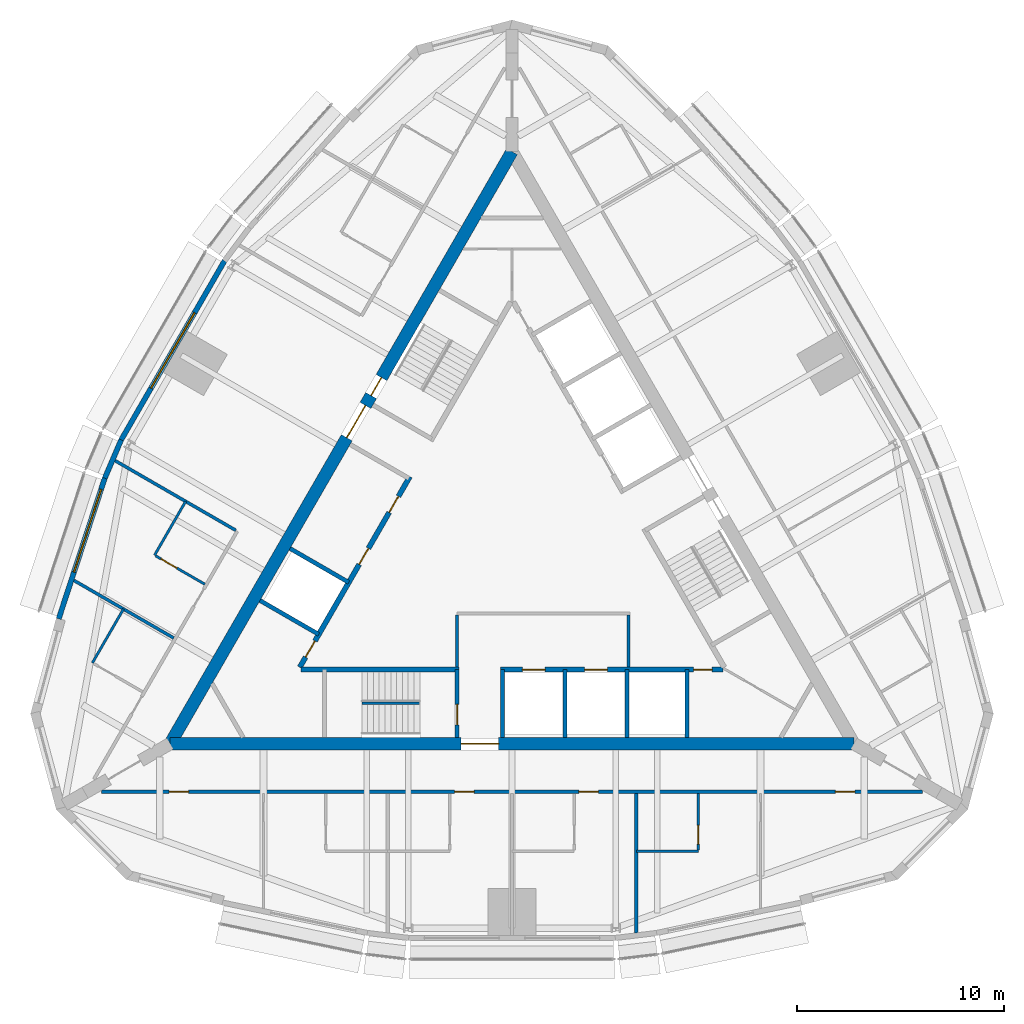
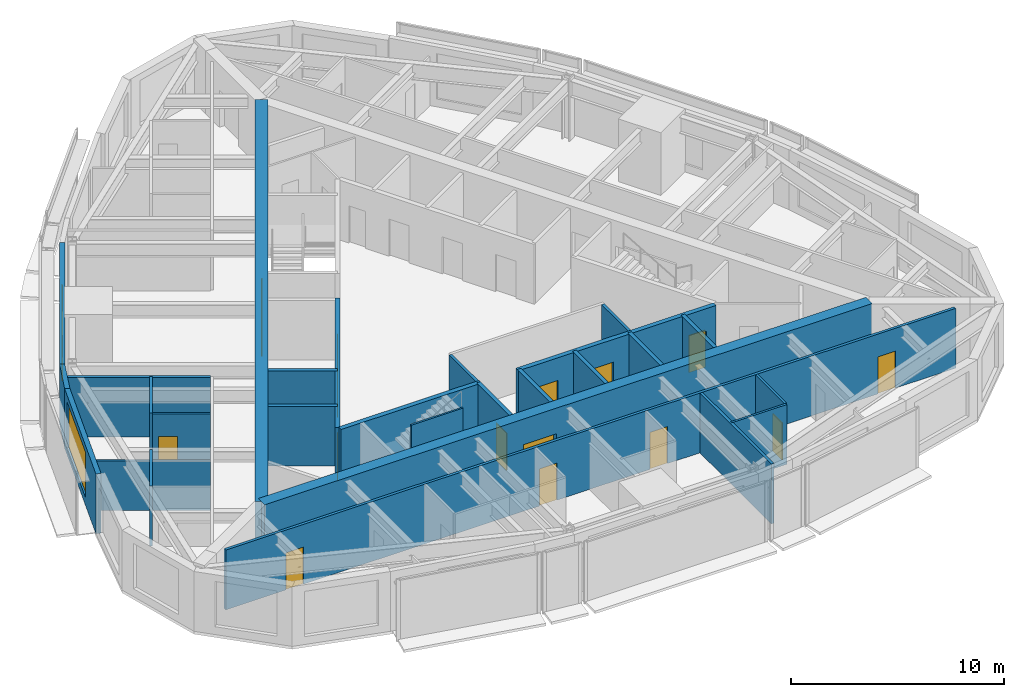
# One storey, part 8 of 12: 27 walls, 16 doors, 2 windows, 18 openings.
"""IFC4 building model written with IfcOpenShell, lengths in metres."""

from ifc_helpers import new_model, si_unit, direction, frame, frame_2d, origin, place, context, subcontext, project, spatial, rectangle, extrude, material, layer, layer_set, type_object, element, fill, save


model = new_model("IFC4")

# Units and contexts
model_context = context("Model", 3, precision=1e-05, world=origin(), true_north=direction((0.0, 1.0)))
body_context = subcontext(model_context, "Body", "Model", "MODEL_VIEW")
ifc_project = project(units=[si_unit("LENGTHUNIT", "METRE"), si_unit("AREAUNIT", "SQUARE_METRE"), si_unit("VOLUMEUNIT", "CUBIC_METRE"), si_unit("PLANEANGLEUNIT", "RADIAN"), si_unit("MASSUNIT", "GRAM", prefix="KILO")], contexts=[model_context])

# Site, building, storey
site_placement = place(None, origin())
site = spatial("IfcSite", under=ifc_project, at=site_placement, CompositionType="ELEMENT")
building_placement = place(site_placement, origin())
building = spatial("IfcBuilding", under=site, at=building_placement, Name="Trikona Tower", CompositionType="ELEMENT")
storey_placement = place(building_placement, frame((0.0, 0.0, 260.89990234375)))
storey = spatial("IfcBuildingStorey", under=building, at=storey_placement, Name="L69", CompositionType="ELEMENT", Elevation=260.89990234375)

# Wall
ifc_material_1 = material(Name="Metal stud and cement board", Category="gypsum")
ifc_layer_1 = layer(ifc_material_1, 0.1201171875)
ifc_layer_set_1 = layer_set([ifc_layer_1], Name="Bathroom wall 120")
wall_type_1 = type_object("IfcWallType", Name="Bathroom wall 120", PredefinedType="PLUMBINGWALL", material=ifc_layer_set_1)
wall_1_placement = place(storey_placement, frame((6.0, -14.726318359375, 0.0), z_axis=(0.0, 0.0, 1.0), x_axis=(1.0, 0.0, 0.0)))
element("IfcWall", 1, at=wall_1_placement, inside=storey, type_object=wall_type_1, Name="Bathroom wall 6904.1", PredefinedType="PLUMBINGWALL", context=body_context, shape_type="SweptSolid", body=[
    extrude(rectangle(XDim=3.0, YDim=0.1201171875, at=frame_2d((1.5, 0.0))), origin(), (0.0, 0.0, 1.0), 3.43505859375),
])

# Wall, opening, door
wall_2_placement = place(storey_placement, frame((9.0, -11.92626953125, 0.0), z_axis=(0.0, 0.0, 1.0), x_axis=(0.0, -1.0, 0.0)))
wall_2 = element("IfcWall", 2, at=wall_2_placement, inside=storey, type_object=wall_type_1, Name="Bathroom wall 6904.1", PredefinedType="PLUMBINGWALL", context=body_context, shape_type="SweptSolid", body=[
    extrude(rectangle(XDim=2.739990234375, YDim=0.1201171875, at=frame_2d((1.3701171875, 0.0))), origin(), (0.0, 0.0, 1.0), 3.43505859375),
])
opening_1_placement = place(wall_2_placement, frame((1.550048828125, 0.0, 0.0)))
opening_1 = element("IfcOpeningElement", 3, at=opening_1_placement, cuts=wall_2, Name="Opening D2", PredefinedType="OPENING", context=body_context, shape_type="SweptSolid", body=[
    extrude(rectangle(XDim=0.89990234375, YDim=2.1298828125, at=frame_2d((0.449951171875, 1.06494140625))), frame((0.0, 0.070068359375, 0.0), z_axis=(0.0, -1.0, 0.0), x_axis=(1.0, 0.0, 0.0)), (0.0, 0.0, 1.0), 0.14013671875),
])
ifc_material_2 = material(Name="Steel door frame with solid-core timber leaf", Category="steel")
door_type_1 = type_object("IfcDoorType", Name="Bathroom door 900x2130", OperationType="SLIDING_TO_LEFT", PredefinedType="DOOR", material=ifc_material_2)
door_1_placement = place(opening_1_placement, origin())
door_1 = element("IfcDoor", 4, at=door_1_placement, inside=storey, type_object=door_type_1, Name="Bathroom door 6904.1", OperationType="SLIDING_TO_LEFT", OverallHeight=2.1298828125, OverallWidth=0.89990234375, PredefinedType="DOOR", context=body_context, shape_type="SweptSolid", body=[
    extrude(rectangle(XDim=0.89990234375, YDim=2.1298828125, at=frame_2d((0.449951171875, 1.06494140625))), frame((0.0, 0.02490234375, 0.0), z_axis=(0.0, -1.0, 0.0), x_axis=(1.0, 0.0, 0.0)), (0.0, 0.0, 1.0), 0.050048828125),
])
fill(opening_1, door_1)

# Wall
wall_3_placement = place(storey_placement, frame((-15.75341796875, 2.1669921875, 0.0), z_axis=(0.0, 0.0, 1.0), x_axis=(-0.499990139034, -0.866031096941, 0.0)))
element("IfcWall", 5, at=wall_3_placement, inside=storey, type_object=wall_type_1, Name="Bathroom wall 6908", PredefinedType="PLUMBINGWALL", context=body_context, shape_type="SweptSolid", body=[
    extrude(rectangle(XDim=3.0, YDim=0.1201171875, at=frame_2d((1.5, 0.0))), origin(), (0.0, 0.0, 1.0), 3.43505859375),
])

# Wall, opening, door
wall_4_placement = place(storey_placement, frame((-14.82861328125, -1.8310546875, 0.0), z_axis=(0.0, 0.0, 1.0), x_axis=(-0.866035715982, 0.499982138324, 0.0)))
wall_4 = element("IfcWall", 6, at=wall_4_placement, inside=storey, type_object=wall_type_1, Name="Bathroom wall 6908", PredefinedType="PLUMBINGWALL", context=body_context, shape_type="SweptSolid", body=[
    extrude(rectangle(XDim=2.73974609375, YDim=0.1201171875, at=frame_2d((1.369873046875, 0.0))), origin(), (0.0, 0.0, 1.0), 3.43505859375),
])
opening_2_placement = place(wall_4_placement, frame((1.550048828125, 0.0, 0.0)))
opening_2 = element("IfcOpeningElement", 7, at=opening_2_placement, cuts=wall_4, Name="Opening D2", PredefinedType="OPENING", context=body_context, shape_type="SweptSolid", body=[
    extrude(rectangle(XDim=0.89990234375, YDim=2.1298828125, at=frame_2d((0.449951171875, 1.06494140625))), frame((0.0, 0.070068359375, 0.0), z_axis=(0.0, -1.0, 0.0), x_axis=(1.0, 0.0, 0.0)), (0.0, 0.0, 1.0), 0.14013671875),
])
door_2_placement = place(opening_2_placement, origin())
door_2 = element("IfcDoor", 8, at=door_2_placement, inside=storey, type_object=door_type_1, Name="Bathroom door 6908", OperationType="SLIDING_TO_LEFT", OverallHeight=2.1298828125, OverallWidth=0.89990234375, PredefinedType="DOOR", context=body_context, shape_type="SweptSolid", body=[
    extrude(rectangle(XDim=0.89990234375, YDim=2.1298828125, at=frame_2d((0.449951171875, 1.06494140625))), frame((0.0, 0.02490234375, 0.0), z_axis=(0.0, -1.0, 0.0), x_axis=(1.0, 0.0, 0.0)), (0.0, 0.0, 1.0), 0.050048828125),
])
fill(opening_2, door_2)

# Wall
wall_5_placement = place(storey_placement, frame((-18.75341796875, -3.029296875, 0.0), z_axis=(0.0, 0.0, 1.0), x_axis=(-0.50002537861, -0.866010750942, 0.0)))
element("IfcWall", 9, at=wall_5_placement, inside=storey, type_object=wall_type_1, Name="Bathroom wall 6909", PredefinedType="PLUMBINGWALL", context=body_context, shape_type="SweptSolid", body=[
    extrude(rectangle(XDim=2.999755859375, YDim=0.1201171875, at=frame_2d((1.5, 0.0))), origin(), (0.0, 0.0, 1.0), 3.43505859375),
])

# Wall, opening, door
ifc_material_3 = material(Name="Concrete f'c 10000 psi", Category="concrete")
ifc_layer_2 = layer(ifc_material_3, 0.60009765625)
ifc_layer_set_2 = layer_set([ifc_layer_2], Name="Core wall 600")
wall_type_2 = type_object("IfcWallType", Name="Core wall 600", PredefinedType="SHEAR", material=ifc_layer_set_2)
wall_6_placement = place(storey_placement, frame((-16.5, -9.5263671875, 0.0), z_axis=(0.0, 0.0, 1.0), x_axis=(1.0, 0.0, 0.0)))
wall_6 = element("IfcWall", 10, at=wall_6_placement, inside=storey, type_object=wall_type_2, Name="Core wall A", PredefinedType="SHEAR", context=body_context, shape_type="SweptSolid", body=[
    extrude(rectangle(XDim=33.0, YDim=0.60009765625, at=frame_2d((16.5, 0.0))), origin(), (0.0, 0.0, 1.0), 3.60009765625),
])
opening_3_placement = place(wall_6_placement, frame((14.050048828125, 0.0, 0.0)))
opening_3 = element("IfcOpeningElement", 11, at=opening_3_placement, cuts=wall_6, Name="Opening D6", PredefinedType="OPENING", context=body_context, shape_type="SweptSolid", body=[
    extrude(rectangle(XDim=1.800048828125, YDim=2.1298828125, at=frame_2d((0.89990234375, 1.06494140625))), frame((0.0, 0.31005859375, 0.0), z_axis=(0.0, -1.0, 0.0), x_axis=(1.0, 0.0, 0.0)), (0.0, 0.0, 1.0), 0.6201171875),
])
ifc_material_4 = material(Name="Hollow metal door and frame", Category="steel")
door_type_2 = type_object("IfcDoorType", Name="Lobby door pair 1800x2130", OperationType="DOUBLE_DOOR_SINGLE_SWING", PredefinedType="DOOR", material=ifc_material_4)
door_3_placement = place(opening_3_placement, origin())
door_3 = element("IfcDoor", 12, at=door_3_placement, inside=storey, type_object=door_type_2, Name="Fire service lift lobby door", OperationType="DOUBLE_DOOR_SINGLE_SWING", OverallHeight=2.1298828125, OverallWidth=1.800048828125, PredefinedType="DOOR", context=body_context, shape_type="SweptSolid", body=[
    extrude(rectangle(XDim=1.800048828125, YDim=2.1298828125, at=frame_2d((0.89990234375, 1.06494140625))), frame((0.0, 0.02490234375, 0.0), z_axis=(0.0, -1.0, 0.0), x_axis=(1.0, 0.0, 0.0)), (0.0, 0.0, 1.0), 0.050048828125),
])
fill(opening_3, door_3)

# Wall, openings, doors
wall_7_placement = place(storey_placement, frame((0.0, 19.052490234375, 0.0), z_axis=(0.0, 0.0, 1.0), x_axis=(-0.499999749417, -0.866025548458, 0.0)))
wall_7 = element("IfcWall", 13, at=wall_7_placement, inside=storey, type_object=wall_type_2, Name="Core wall C", PredefinedType="SHEAR", context=body_context, shape_type="SweptSolid", body=[
    extrude(rectangle(XDim=33.0, YDim=0.60009765625, at=frame_2d((16.5, 0.0))), origin(), (0.0, 0.0, 1.0), 3.60009765625),
])
opening_4_placement = place(wall_7_placement, frame((14.14990234375, 0.0, 0.0)))
opening_4 = element("IfcOpeningElement", 14, at=opening_4_placement, cuts=wall_7, Name="Opening D6", PredefinedType="OPENING", context=body_context, shape_type="SweptSolid", body=[
    extrude(rectangle(XDim=1.800048828125, YDim=2.1298828125, at=frame_2d((0.89990234375, 1.06494140625))), frame((0.0, 0.31005859375, 0.0), z_axis=(0.0, -1.0, 0.0), x_axis=(1.0, 0.0, 0.0)), (0.0, 0.0, 1.0), 0.6201171875),
])
opening_5_placement = place(wall_7_placement, frame((12.60009765625, 0.0, 0.0)))
opening_5 = element("IfcOpeningElement", 15, at=opening_5_placement, cuts=wall_7, Name="Opening D5", PredefinedType="OPENING", context=body_context, shape_type="SweptSolid", body=[
    extrude(rectangle(XDim=1.0, YDim=2.1298828125, at=frame_2d((0.5, 1.06494140625))), frame((0.0, 0.31005859375, 0.0), z_axis=(0.0, -1.0, 0.0), x_axis=(1.0, 0.0, 0.0)), (0.0, 0.0, 1.0), 0.6201171875),
])
door_4_placement = place(opening_4_placement, origin())
door_4 = element("IfcDoor", 16, at=door_4_placement, inside=storey, type_object=door_type_2, Name="Lift lobby door C", OperationType="DOUBLE_DOOR_SINGLE_SWING", OverallHeight=2.1298828125, OverallWidth=1.800048828125, PredefinedType="DOOR", context=body_context, shape_type="SweptSolid", body=[
    extrude(rectangle(XDim=1.800048828125, YDim=2.1298828125, at=frame_2d((0.89990234375, 1.06494140625))), frame((0.0, 0.02490234375, 0.0), z_axis=(0.0, -1.0, 0.0), x_axis=(1.0, 0.0, 0.0)), (0.0, 0.0, 1.0), 0.050048828125),
])
fill(opening_4, door_4)
ifc_material_5 = material(Name="Hollow metal door and frame", Category="steel")
door_type_3 = type_object("IfcDoorType", Name="Stair door 1000x2130", OperationType="SINGLE_SWING_LEFT", PredefinedType="DOOR", material=ifc_material_5)
door_5_placement = place(opening_5_placement, origin())
door_5 = element("IfcDoor", 17, at=door_5_placement, inside=storey, type_object=door_type_3, Name="Stair C door", OperationType="SINGLE_SWING_RIGHT", OverallHeight=2.1298828125, OverallWidth=1.0, PredefinedType="DOOR", context=body_context, shape_type="SweptSolid", body=[
    extrude(rectangle(XDim=1.0, YDim=2.1298828125, at=frame_2d((0.5, 1.06494140625))), frame((0.0, 0.02490234375, 0.0), z_axis=(0.0, -1.0, 0.0), x_axis=(1.0, 0.0, 0.0)), (0.0, 0.0, 1.0), 0.050048828125),
])
fill(opening_5, door_5)

ifc_material_6 = material(Name="Metal stud and gypsum board, 1-hour", Category="gypsum")
ifc_layer_3 = layer(ifc_material_6, 0.14990234375)
ifc_layer_set_3 = layer_set([ifc_layer_3], Name="Corridor wall 150")
wall_type_3 = type_object("IfcWallType", Name="Corridor wall 150", PredefinedType="PARTITIONING", material=ifc_layer_set_3)
wall_8_placement = place(storey_placement, frame((-19.826904296875, -11.851318359375, 0.0), z_axis=(0.0, 0.0, 1.0), x_axis=(1.0, 0.0, 0.0)))
wall_8 = element("IfcWall", 18, at=wall_8_placement, inside=storey, type_object=wall_type_3, Name="Corridor wall L69-1", PredefinedType="PARTITIONING", context=body_context, shape_type="SweptSolid", body=[
    extrude(rectangle(XDim=39.65380859375, YDim=0.14990234375, at=frame_2d((19.826904296875, 0.0))), origin(), (0.0, 0.0, 1.0), 3.43505859375),
])
opening_6_placement = place(wall_8_placement, frame((3.271728515625, 0.0, 0.0)))
opening_6 = element("IfcOpeningElement", 19, at=opening_6_placement, cuts=wall_8, Name="Opening D1", PredefinedType="OPENING", context=body_context, shape_type="SweptSolid", body=[
    extrude(rectangle(XDim=0.949951171875, YDim=2.1298828125, at=frame_2d((0.47509765625, 1.06494140625))), frame((0.0, 0.0849609375, 0.0), z_axis=(0.0, -1.0, 0.0), x_axis=(1.0, 0.0, 0.0)), (0.0, 0.0, 1.0), 0.169921875),
])
opening_7_placement = place(wall_8_placement, frame((17.052001953125, 0.0, 0.0)))
opening_7 = element("IfcOpeningElement", 20, at=opening_7_placement, cuts=wall_8, Name="Opening D1", PredefinedType="OPENING", context=body_context, shape_type="SweptSolid", body=[
    extrude(rectangle(XDim=0.949951171875, YDim=2.1298828125, at=frame_2d((0.47509765625, 1.06494140625))), frame((0.0, 0.0849609375, 0.0), z_axis=(0.0, -1.0, 0.0), x_axis=(1.0, 0.0, 0.0)), (0.0, 0.0, 1.0), 0.169921875),
])
opening_8_placement = place(wall_8_placement, frame((23.052001953125, 0.0, 0.0)))
opening_8 = element("IfcOpeningElement", 21, at=opening_8_placement, cuts=wall_8, Name="Opening D1", PredefinedType="OPENING", context=body_context, shape_type="SweptSolid", body=[
    extrude(rectangle(XDim=0.949951171875, YDim=2.1298828125, at=frame_2d((0.47509765625, 1.06494140625))), frame((0.0, 0.0849609375, 0.0), z_axis=(0.0, -1.0, 0.0), x_axis=(1.0, 0.0, 0.0)), (0.0, 0.0, 1.0), 0.169921875),
])
opening_9_placement = place(wall_8_placement, frame((35.432373046875, 0.0, 0.0)))
opening_9 = element("IfcOpeningElement", 22, at=opening_9_placement, cuts=wall_8, Name="Opening D1", PredefinedType="OPENING", context=body_context, shape_type="SweptSolid", body=[
    extrude(rectangle(XDim=0.949951171875, YDim=2.1298828125, at=frame_2d((0.47509765625, 1.06494140625))), frame((0.0, 0.0849609375, 0.0), z_axis=(0.0, -1.0, 0.0), x_axis=(1.0, 0.0, 0.0)), (0.0, 0.0, 1.0), 0.169921875),
])
ifc_material_7 = material(Name="Steel door frame with solid-core timber leaf", Category="steel")
door_type_4 = type_object("IfcDoorType", Name="Guest room door 950x2130", OperationType="SINGLE_SWING_LEFT", PredefinedType="DOOR", material=ifc_material_7)
door_6_placement = place(opening_6_placement, origin())
door_6 = element("IfcDoor", 23, at=door_6_placement, inside=storey, type_object=door_type_4, Name="Room door 6901", OperationType="SINGLE_SWING_LEFT", OverallHeight=2.1298828125, OverallWidth=0.949951171875, PredefinedType="DOOR", context=body_context, shape_type="SweptSolid", body=[
    extrude(rectangle(XDim=0.949951171875, YDim=2.1298828125, at=frame_2d((0.47509765625, 1.06494140625))), frame((0.0, 0.02490234375, 0.0), z_axis=(0.0, -1.0, 0.0), x_axis=(1.0, 0.0, 0.0)), (0.0, 0.0, 1.0), 0.050048828125),
])
fill(opening_6, door_6)
door_7_placement = place(opening_7_placement, origin())
door_7 = element("IfcDoor", 24, at=door_7_placement, inside=storey, type_object=door_type_4, Name="Room door 6902", OperationType="SINGLE_SWING_RIGHT", OverallHeight=2.1298828125, OverallWidth=0.949951171875, PredefinedType="DOOR", context=body_context, shape_type="SweptSolid", body=[
    extrude(rectangle(XDim=0.949951171875, YDim=2.1298828125, at=frame_2d((0.47509765625, 1.06494140625))), frame((0.0, 0.02490234375, 0.0), z_axis=(0.0, -1.0, 0.0), x_axis=(1.0, 0.0, 0.0)), (0.0, 0.0, 1.0), 0.050048828125),
])
fill(opening_7, door_7)
door_8_placement = place(opening_8_placement, origin())
door_8 = element("IfcDoor", 25, at=door_8_placement, inside=storey, type_object=door_type_4, Name="Room door 6903", OperationType="SINGLE_SWING_LEFT", OverallHeight=2.1298828125, OverallWidth=0.949951171875, PredefinedType="DOOR", context=body_context, shape_type="SweptSolid", body=[
    extrude(rectangle(XDim=0.949951171875, YDim=2.1298828125, at=frame_2d((0.47509765625, 1.06494140625))), frame((0.0, 0.02490234375, 0.0), z_axis=(0.0, -1.0, 0.0), x_axis=(1.0, 0.0, 0.0)), (0.0, 0.0, 1.0), 0.050048828125),
])
fill(opening_8, door_8)
door_9_placement = place(opening_9_placement, origin())
door_9 = element("IfcDoor", 26, at=door_9_placement, inside=storey, type_object=door_type_4, Name="Room door 6904", OperationType="SINGLE_SWING_RIGHT", OverallHeight=2.1298828125, OverallWidth=0.949951171875, PredefinedType="DOOR", context=body_context, shape_type="SweptSolid", body=[
    extrude(rectangle(XDim=0.949951171875, YDim=2.1298828125, at=frame_2d((0.47509765625, 1.06494140625))), frame((0.0, 0.02490234375, 0.0), z_axis=(0.0, -1.0, 0.0), x_axis=(1.0, 0.0, 0.0)), (0.0, 0.0, 1.0), 0.050048828125),
])
fill(opening_9, door_9)

# Wall
ifc_material_8 = material(Name="Concrete f'c 8000 psi", Category="concrete")
ifc_layer_4 = layer(ifc_material_8, 0.25)
ifc_layer_set_4 = layer_set([ifc_layer_4], Name="Hub wall 250")
wall_type_4 = type_object("IfcWallType", Name="Hub wall 250", PredefinedType="SOLIDWALL", material=ifc_layer_set_4)
wall_9_placement = place(storey_placement, frame((-10.182861328125, -5.951416015625, 0.0), z_axis=(0.0, 0.0, 1.0), x_axis=(1.0, 0.0, 0.0)))
element("IfcWall", 27, at=wall_9_placement, inside=storey, type_object=wall_type_4, Name="Lift lobby wall A1", PredefinedType="SOLIDWALL", context=body_context, shape_type="SweptSolid", body=[
    extrude(rectangle(XDim=7.6328125, YDim=0.25, at=frame_2d((3.81640625, 0.0))), origin(), (0.0, 0.0, 1.0), 3.43505859375),
])

# Wall, openings, doors
wall_10_placement = place(storey_placement, frame((-0.550048828125, -5.951416015625, 0.0), z_axis=(0.0, 0.0, 1.0), x_axis=(1.0, 0.0, 0.0)))
wall_10 = element("IfcWall", 28, at=wall_10_placement, inside=storey, type_object=wall_type_4, Name="Lift lobby wall A2", PredefinedType="SOLIDWALL", context=body_context, shape_type="SweptSolid", body=[
    extrude(rectangle(XDim=10.73291015625, YDim=0.25, at=frame_2d((5.366455078125, 0.0))), origin(), (0.0, 0.0, 1.0), 3.43505859375),
])
opening_10_placement = place(wall_10_placement, frame((9.31396484375, 0.0, 0.0)))
opening_10 = element("IfcOpeningElement", 29, at=opening_10_placement, cuts=wall_10, Name="Opening D14", PredefinedType="OPENING", context=body_context, shape_type="SweptSolid", body=[
    extrude(rectangle(XDim=0.89990234375, YDim=2.1298828125, at=frame_2d((0.449951171875, 1.06494140625))), frame((0.0, 0.135009765625, 0.0), z_axis=(0.0, -1.0, 0.0), x_axis=(1.0, 0.0, 0.0)), (0.0, 0.0, 1.0), 0.27001953125),
])
opening_11_placement = place(wall_10_placement, frame((1.050048828125, 0.0, 0.0)))
opening_11 = element("IfcOpeningElement", 30, at=opening_11_placement, cuts=wall_10, Name="Opening LD", PredefinedType="OPENING", context=body_context, shape_type="SweptSolid", body=[
    extrude(rectangle(XDim=1.10009765625, YDim=2.1298828125, at=frame_2d((0.550048828125, 1.06494140625))), frame((0.0, 0.135009765625, 0.0), z_axis=(0.0, -1.0, 0.0), x_axis=(1.0, 0.0, 0.0)), (0.0, 0.0, 1.0), 0.27001953125),
])
opening_12_placement = place(wall_10_placement, frame((4.050048828125, 0.0, 0.0)))
opening_12 = element("IfcOpeningElement", 31, at=opening_12_placement, cuts=wall_10, Name="Opening LD", PredefinedType="OPENING", context=body_context, shape_type="SweptSolid", body=[
    extrude(rectangle(XDim=1.10009765625, YDim=2.1298828125, at=frame_2d((0.550048828125, 1.06494140625))), frame((0.0, 0.135009765625, 0.0), z_axis=(0.0, -1.0, 0.0), x_axis=(1.0, 0.0, 0.0)), (0.0, 0.0, 1.0), 0.27001953125),
])
ifc_material_9 = material(Name="Stainless steel lift landing door", Category="steel")
door_type_5 = type_object("IfcDoorType", Name="Lift landing door 1100x2130", OperationType="DOUBLE_DOOR_SLIDING", PredefinedType="USERDEFINED", material=ifc_material_9)
door_10_placement = place(opening_11_placement, origin())
door_10 = element("IfcDoor", 32, at=door_10_placement, inside=storey, type_object=door_type_5, Name="Lift landing door FF1", ObjectType="LIFT LANDING DOOR", OperationType="DOUBLE_DOOR_SLIDING", OverallHeight=2.1298828125, OverallWidth=1.10009765625, PredefinedType="USERDEFINED", context=body_context, shape_type="SweptSolid", body=[
    extrude(rectangle(XDim=1.10009765625, YDim=2.1298828125, at=frame_2d((0.550048828125, 1.06494140625))), frame((0.0, 0.02490234375, 0.0), z_axis=(0.0, -1.0, 0.0), x_axis=(1.0, 0.0, 0.0)), (0.0, 0.0, 1.0), 0.050048828125),
])
fill(opening_11, door_10)
door_11_placement = place(opening_12_placement, origin())
door_11 = element("IfcDoor", 33, at=door_11_placement, inside=storey, type_object=door_type_5, Name="Lift landing door FF2", ObjectType="LIFT LANDING DOOR", OperationType="DOUBLE_DOOR_SLIDING", OverallHeight=2.1298828125, OverallWidth=1.10009765625, PredefinedType="USERDEFINED", context=body_context, shape_type="SweptSolid", body=[
    extrude(rectangle(XDim=1.10009765625, YDim=2.1298828125, at=frame_2d((0.550048828125, 1.06494140625))), frame((0.0, 0.02490234375, 0.0), z_axis=(0.0, -1.0, 0.0), x_axis=(1.0, 0.0, 0.0)), (0.0, 0.0, 1.0), 0.050048828125),
])
fill(opening_12, door_11)
ifc_material_10 = material(Name="Hollow metal door and frame", Category="steel")
door_type_6 = type_object("IfcDoorType", Name="Service room door 900x2130", OperationType="SINGLE_SWING_LEFT", PredefinedType="DOOR", material=ifc_material_10)
door_12_placement = place(opening_10_placement, origin())
door_12 = element("IfcDoor", 34, at=door_12_placement, inside=storey, type_object=door_type_6, Name="Door Linen store LIN", OperationType="SINGLE_SWING_RIGHT", OverallHeight=2.1298828125, OverallWidth=0.89990234375, PredefinedType="DOOR", context=body_context, shape_type="SweptSolid", body=[
    extrude(rectangle(XDim=0.89990234375, YDim=2.1298828125, at=frame_2d((0.449951171875, 1.06494140625))), frame((0.0, 0.02490234375, 0.0), z_axis=(0.0, -1.0, 0.0), x_axis=(1.0, 0.0, 0.0)), (0.0, 0.0, 1.0), 0.050048828125),
])
fill(opening_10, door_12)

wall_11_placement = place(storey_placement, frame((-4.928955078125, 3.365478515625, 0.0), z_axis=(0.0, 0.0, 1.0), x_axis=(-0.499991433582, -0.866030349552, 0.0)))
wall_11 = element("IfcWall", 35, at=wall_11_placement, inside=storey, type_object=wall_type_4, Name="Lift lobby wall C2", PredefinedType="SOLIDWALL", context=body_context, shape_type="SweptSolid", body=[
    extrude(rectangle(XDim=10.633056640625, YDim=0.25, at=frame_2d((5.31640625, 0.0))), origin(), (0.0, 0.0, 1.0), 3.43505859375),
])
opening_13_placement = place(wall_11_placement, frame((9.1640625, 0.0, 0.0)))
opening_13 = element("IfcOpeningElement", 36, at=opening_13_placement, cuts=wall_11, Name="Opening D14", PredefinedType="OPENING", context=body_context, shape_type="SweptSolid", body=[
    extrude(rectangle(XDim=0.89990234375, YDim=2.1298828125, at=frame_2d((0.449951171875, 1.06494140625))), frame((0.0, 0.135009765625, 0.0), z_axis=(0.0, -1.0, 0.0), x_axis=(1.0, 0.0, 0.0)), (0.0, 0.0, 1.0), 0.27001953125),
])
opening_14_placement = place(wall_11_placement, frame((1.10009765625, 0.0, 0.0)))
opening_14 = element("IfcOpeningElement", 37, at=opening_14_placement, cuts=wall_11, Name="Opening D14", PredefinedType="OPENING", context=body_context, shape_type="SweptSolid", body=[
    extrude(rectangle(XDim=0.89990234375, YDim=2.1298828125, at=frame_2d((0.449951171875, 1.06494140625))), frame((0.0, 0.135009765625, 0.0), z_axis=(0.0, -1.0, 0.0), x_axis=(1.0, 0.0, 0.0)), (0.0, 0.0, 1.0), 0.27001953125),
])
opening_15_placement = place(wall_11_placement, frame((4.0, 0.0, 0.0)))
opening_15 = element("IfcOpeningElement", 38, at=opening_15_placement, cuts=wall_11, Name="Opening D14", PredefinedType="OPENING", context=body_context, shape_type="SweptSolid", body=[
    extrude(rectangle(XDim=0.89990234375, YDim=2.1298828125, at=frame_2d((0.449951171875, 1.06494140625))), frame((0.0, 0.135009765625, 0.0), z_axis=(0.0, -1.0, 0.0), x_axis=(1.0, 0.0, 0.0)), (0.0, 0.0, 1.0), 0.27001953125),
])
door_13_placement = place(opening_13_placement, origin())
door_13 = element("IfcDoor", 39, at=door_13_placement, inside=storey, type_object=door_type_6, Name="Door Housekeeping store HKS", OperationType="SINGLE_SWING_RIGHT", OverallHeight=2.1298828125, OverallWidth=0.89990234375, PredefinedType="DOOR", context=body_context, shape_type="SweptSolid", body=[
    extrude(rectangle(XDim=0.89990234375, YDim=2.1298828125, at=frame_2d((0.449951171875, 1.06494140625))), frame((0.0, 0.02490234375, 0.0), z_axis=(0.0, -1.0, 0.0), x_axis=(1.0, 0.0, 0.0)), (0.0, 0.0, 1.0), 0.050048828125),
])
fill(opening_13, door_13)
door_14_placement = place(opening_14_placement, origin())
door_14 = element("IfcDoor", 40, at=door_14_placement, inside=storey, type_object=door_type_6, Name="Door Guest pantry PAN1", OperationType="SINGLE_SWING_LEFT", OverallHeight=2.1298828125, OverallWidth=0.89990234375, PredefinedType="DOOR", context=body_context, shape_type="SweptSolid", body=[
    extrude(rectangle(XDim=0.89990234375, YDim=2.1298828125, at=frame_2d((0.449951171875, 1.06494140625))), frame((0.0, 0.02490234375, 0.0), z_axis=(0.0, -1.0, 0.0), x_axis=(1.0, 0.0, 0.0)), (0.0, 0.0, 1.0), 0.050048828125),
])
fill(opening_14, door_14)
door_15_placement = place(opening_15_placement, origin())
door_15 = element("IfcDoor", 41, at=door_15_placement, inside=storey, type_object=door_type_6, Name="Door Guest pantry PAN1", OperationType="SINGLE_SWING_RIGHT", OverallHeight=2.1298828125, OverallWidth=0.89990234375, PredefinedType="DOOR", context=body_context, shape_type="SweptSolid", body=[
    extrude(rectangle(XDim=0.89990234375, YDim=2.1298828125, at=frame_2d((0.449951171875, 1.06494140625))), frame((0.0, 0.02490234375, 0.0), z_axis=(0.0, -1.0, 0.0), x_axis=(1.0, 0.0, 0.0)), (0.0, 0.0, 1.0), 0.050048828125),
])
fill(opening_15, door_15)

# Wall, opening, window
ifc_material_11 = material(Name="Insulated precast concrete spandrel panel", Category="concrete")
ifc_layer_5 = layer(ifc_material_11, 0.25)
ifc_layer_set_5 = layer_set([ifc_layer_5], Name="Inner skin wall 250")
wall_type_5 = type_object("IfcWallType", Name="Inner skin wall 250", PredefinedType="STANDARD", material=ifc_layer_set_5)
wall_12_placement = place(storey_placement, frame((-13.87255859375, 13.782958984375, 0.0), z_axis=(0.0, 0.0, 1.0), x_axis=(-0.499993662806, -0.866029062534, 0.0)))
wall_12 = element("IfcWall", 42, at=wall_12_placement, inside=storey, type_object=wall_type_5, Name="External wall L69-20", PredefinedType="STANDARD", context=body_context, shape_type="SweptSolid", body=[
    extrude(rectangle(XDim=10.000244140625, YDim=0.25, at=frame_2d((5.0, 0.0))), origin(), (0.0, 0.0, 1.0), 3.43505859375),
])
opening_16_placement = place(wall_12_placement, frame((2.89990234375, 0.0, 0.449951171875)))
opening_16 = element("IfcOpeningElement", 43, at=opening_16_placement, cuts=wall_12, Name="Opening W4226", PredefinedType="OPENING", context=body_context, shape_type="SweptSolid", body=[
    extrude(rectangle(XDim=4.199951171875, YDim=2.60009765625, at=frame_2d((2.10009765625, 1.300048828125))), frame((0.0, 0.135009765625, 0.0), z_axis=(0.0, -1.0, 0.0), x_axis=(1.0, 0.0, 0.0)), (0.0, 0.0, 1.0), 0.27001953125),
])
ifc_material_12 = material(Name="Aluminium-framed double glazing", Category="aluminium")
window_type = type_object("IfcWindowType", Name="Window 4200x2600", PartitioningType="SINGLE_PANEL", PredefinedType="WINDOW", material=ifc_material_12)
window_1_placement = place(opening_16_placement, origin())
window_1 = element("IfcWindow", 44, at=window_1_placement, inside=storey, type_object=window_type, Name="Window L69-LNG", OverallHeight=2.60009765625, OverallWidth=4.199951171875, PartitioningType="SINGLE_PANEL", PredefinedType="WINDOW", context=body_context, shape_type="SweptSolid", body=[
    extrude(rectangle(XDim=4.199951171875, YDim=2.60009765625, at=frame_2d((2.10009765625, 1.300048828125))), frame((0.0, 0.030029296875, 0.0), z_axis=(0.0, -1.0, 0.0), x_axis=(1.0, 0.0, 0.0)), (0.0, 0.0, 1.0), 0.06005859375),
])
fill(opening_16, window_1)

# Wall
wall_13_placement = place(storey_placement, frame((-18.865966796875, 5.135986328125, 0.0), z_axis=(0.0, 0.0, 1.0), x_axis=(-0.393290226175, -0.91941437774, 0.0)))
element("IfcWall", 45, at=wall_13_placement, inside=storey, type_object=wall_type_5, Name="External wall L69-21", PredefinedType="STANDARD", context=body_context, shape_type="SweptSolid", body=[
    extrude(rectangle(XDim=2.014404296875, YDim=0.25, at=frame_2d((1.00732421875, 0.0))), origin(), (0.0, 0.0, 1.0), 3.43505859375),
])

# Wall, opening, window
wall_14_placement = place(storey_placement, frame((-19.654296875, 3.294189453125, 0.0), z_axis=(0.0, 0.0, 1.0), x_axis=(-0.311328857048, -0.95030223759, 0.0)))
wall_14 = element("IfcWall", 46, at=wall_14_placement, inside=storey, type_object=wall_type_5, Name="External wall L69-22", PredefinedType="STANDARD", context=body_context, shape_type="SweptSolid", body=[
    extrude(rectangle(XDim=7.152587890625, YDim=0.25, at=frame_2d((3.576171875, 0.0))), origin(), (0.0, 0.0, 1.0), 3.43505859375),
])
opening_17_placement = place(wall_14_placement, frame((0.576904296875, 0.0, 0.449951171875)))
opening_17 = element("IfcOpeningElement", 47, at=opening_17_placement, cuts=wall_14, Name="Opening W4226", PredefinedType="OPENING", context=body_context, shape_type="SweptSolid", body=[
    extrude(rectangle(XDim=4.199951171875, YDim=2.60009765625, at=frame_2d((2.10009765625, 1.300048828125))), frame((0.0, 0.135009765625, 0.0), z_axis=(0.0, -1.0, 0.0), x_axis=(1.0, 0.0, 0.0)), (0.0, 0.0, 1.0), 0.27001953125),
])
window_2_placement = place(opening_17_placement, origin())
window_2 = element("IfcWindow", 48, at=window_2_placement, inside=storey, type_object=window_type, Name="Window 6908", OverallHeight=2.60009765625, OverallWidth=4.199951171875, PartitioningType="SINGLE_PANEL", PredefinedType="WINDOW", context=body_context, shape_type="SweptSolid", body=[
    extrude(rectangle(XDim=4.199951171875, YDim=2.60009765625, at=frame_2d((2.10009765625, 1.300048828125))), frame((0.0, 0.030029296875, 0.0), z_axis=(0.0, -1.0, 0.0), x_axis=(1.0, 0.0, 0.0)), (0.0, 0.0, 1.0), 0.06005859375),
])
fill(opening_17, window_2)

# Walls
ifc_material_13 = material(Name="Metal stud and gypsum board, 2-hour shaft wall", Category="gypsum")
ifc_layer_6 = layer(ifc_material_13, 0.14990234375)
ifc_layer_set_6 = layer_set([ifc_layer_6], Name="Lobby wall 150")
wall_type_6 = type_object("IfcWallType", Name="Lobby wall 150", PredefinedType="PARTITIONING", material=ifc_layer_set_6)
for number, where, z_axis, x_axis, name in (
    (49, (-2.64990234375, -5.826416015625, 0.0), (0.0, 0.0, 1.0), (0.0, 1.0, 0.0), "Fire service lift lobby wall 2"),
    (50, (5.625, -5.826416015625, 0.0), (0.0, 0.0, 1.0), (0.0, 1.0, 0.0), "Fire service lift lobby wall 3"),
):
    element("IfcWall", number, at=place(storey_placement, frame(where, z_axis=z_axis, x_axis=x_axis)), inside=storey, type_object=wall_type_6, Name=name, PredefinedType="PARTITIONING", context=body_context, shape_type="SweptSolid", body=[
        extrude(rectangle(XDim=2.5, YDim=0.14990234375, at=frame_2d((1.25, 0.0))), origin(), (0.0, 0.0, 1.0), 3.43505859375),
    ])
ifc_material_14 = material(Name="Metal stud and gypsum board, 1-hour acoustic", Category="gypsum")
ifc_layer_7 = layer(ifc_material_14, 0.14990234375)
ifc_layer_set_7 = layer_set([ifc_layer_7], Name="Party wall 150")
wall_type_7 = type_object("IfcWallType", Name="Party wall 150", PredefinedType="PARTITIONING", material=ifc_layer_set_7)
for number, where, z_axis, x_axis, name in (
    (51, (6.0, -11.92626953125, 0.0), (0.0, 0.0, 1.0), (0.0, -1.0, 0.0), "Partition L69 F1 u6"),
    (52, (-13.32861328125, 0.76708984375, 0.0), (0.0, 0.0, 1.0), (-0.866020720842, 0.500008111007, 0.0), "Partition L69 F3 u6"),
):
    element("IfcWall", number, at=place(storey_placement, frame(where, z_axis=z_axis, x_axis=x_axis)), inside=storey, type_object=wall_type_7, Name=name, PredefinedType="PARTITIONING", context=body_context, shape_type="SweptSolid", body=[
        extrude(rectangle(XDim=6.732421875, YDim=0.14990234375, at=frame_2d((3.3662109375, 0.0))), origin(), (0.0, 0.0, 1.0), 3.43505859375),
    ])
wall_15_placement = place(storey_placement, frame((-16.32861328125, -4.42919921875, 0.0), z_axis=(0.0, 0.0, 1.0), x_axis=(-0.866029066823, 0.499993655377, 0.0)))
element("IfcWall", 53, at=wall_15_placement, inside=storey, type_object=wall_type_7, Name="Partition L69 F3 u12", PredefinedType="PARTITIONING", context=body_context, shape_type="SweptSolid", body=[
    extrude(rectangle(XDim=5.55859375, YDim=0.14990234375, at=frame_2d((2.779296875, 0.0))), origin(), (0.0, 0.0, 1.0), 2.822998046875),
])
ifc_material_15 = material(Name="Concrete f'c 8000 psi", Category="concrete")
ifc_layer_8 = layer(ifc_material_15, 0.199951171875)
ifc_layer_set_8 = layer_set([ifc_layer_8], Name="Shaft wall 200")
wall_type_8 = type_object("IfcWallType", Name="Shaft wall 200", PredefinedType="SOLIDWALL", material=ifc_layer_set_8)
for number, where, z_axis, x_axis, name in (
    (54, (-0.449951171875, -5.951416015625, 0.0), (0.0, 0.0, 1.0), (0.0, -1.0, 0.0), "Shaft wall A3"),
    (55, (2.550048828125, -5.951416015625, 0.0), (0.0, 0.0, 1.0), (0.0, -1.0, 0.0), "Shaft wall A4"),
    (56, (5.550048828125, -5.951416015625, 0.0), (0.0, 0.0, 1.0), (0.0, -1.0, 0.0), "Shaft wall A5"),
    (57, (8.449951171875, -5.951416015625, 0.0), (0.0, 0.0, 1.0), (0.0, -1.0, 0.0), "Shaft wall A6"),
    (58, (-7.87890625, -1.744140625, 0.0), (0.0, 0.0, 1.0), (-0.866027924134, 0.499995634601, 0.0), "Shaft wall C5"),
    (59, (-9.3291015625, -4.255615234375, 0.0), (0.0, 0.0, 1.0), (-0.866027924134, 0.499995634601, 0.0), "Shaft wall C6"),
):
    element("IfcWall", number, at=place(storey_placement, frame(where, z_axis=z_axis, x_axis=x_axis)), inside=storey, type_object=wall_type_8, Name=name, PredefinedType="SOLIDWALL", context=body_context, shape_type="SweptSolid", body=[
        extrude(rectangle(XDim=3.27490234375, YDim=0.199951171875, at=frame_2d((1.637451171875, 0.0))), origin(), (0.0, 0.0, 1.0), 3.43505859375),
    ])

# Wall, opening, door
ifc_material_16 = material(Name="Concrete f'c 8000 psi", Category="concrete")
ifc_layer_9 = layer(ifc_material_16, 0.199951171875)
ifc_layer_set_9 = layer_set([ifc_layer_9], Name="Shaft wall 200 load-bearing")
wall_type_9 = type_object("IfcWallType", Name="Shaft wall 200 load-bearing", PredefinedType="SOLIDWALL", material=ifc_layer_set_9)
wall_16_placement = place(storey_placement, frame((-2.64990234375, -5.951416015625, 0.0), z_axis=(0.0, 0.0, 1.0), x_axis=(0.0, -1.0, 0.0)))
wall_16 = element("IfcWall", 60, at=wall_16_placement, inside=storey, type_object=wall_type_9, Name="Shaft wall A2", PredefinedType="SOLIDWALL", context=body_context, shape_type="SweptSolid", body=[
    extrude(rectangle(XDim=3.27490234375, YDim=0.199951171875, at=frame_2d((1.637451171875, 0.0))), origin(), (0.0, 0.0, 1.0), 3.43505859375),
])
opening_18_placement = place(wall_16_placement, frame((1.675048828125, 0.0, 0.0)))
opening_18 = element("IfcOpeningElement", 61, at=opening_18_placement, cuts=wall_16, Name="Opening D5", PredefinedType="OPENING", context=body_context, shape_type="SweptSolid", body=[
    extrude(rectangle(XDim=1.0, YDim=2.1298828125, at=frame_2d((0.5, 1.06494140625))), frame((0.0, 0.10986328125, 0.0), z_axis=(0.0, -1.0, 0.0), x_axis=(1.0, 0.0, 0.0)), (0.0, 0.0, 1.0), 0.219970703125),
])
door_16_placement = place(opening_18_placement, origin())
door_16 = element("IfcDoor", 62, at=door_16_placement, inside=storey, type_object=door_type_3, Name="Stair A door", OperationType="SINGLE_SWING_RIGHT", OverallHeight=2.1298828125, OverallWidth=1.0, PredefinedType="DOOR", context=body_context, shape_type="SweptSolid", body=[
    extrude(rectangle(XDim=1.0, YDim=2.1298828125, at=frame_2d((0.5, 1.06494140625))), frame((0.0, 0.02490234375, 0.0), z_axis=(0.0, -1.0, 0.0), x_axis=(1.0, 0.0, 0.0)), (0.0, 0.0, 1.0), 0.050048828125),
])
fill(opening_18, door_16)

# Wall
ifc_material_17 = material(Name="Concrete f'c 5000 psi", Category="concrete")
ifc_layer_10 = layer(ifc_material_17, 0.10009765625)
ifc_layer_set_10 = layer_set([ifc_layer_10], Name="Stair spine wall 100")
wall_type_10 = type_object("IfcWallType", Name="Stair spine wall 100", PredefinedType="SOLIDWALL", material=ifc_layer_set_10)
wall_17_placement = place(storey_placement, frame((-7.2470703125, -7.576416015625, 0.0), z_axis=(0.0, 0.0, 1.0), x_axis=(1.0, 0.0, 0.0)))
element("IfcWall", 63, at=wall_17_placement, inside=storey, type_object=wall_type_10, Name="Stair A spine wall L69", PredefinedType="SOLIDWALL", context=body_context, shape_type="SweptSolid", body=[
    extrude(rectangle(XDim=2.794189453125, YDim=0.10009765625, at=frame_2d((1.39697265625, 0.0))), origin(), (0.0, 0.0, 1.0), 3.60009765625),
])

save(model, "model.ifc")
